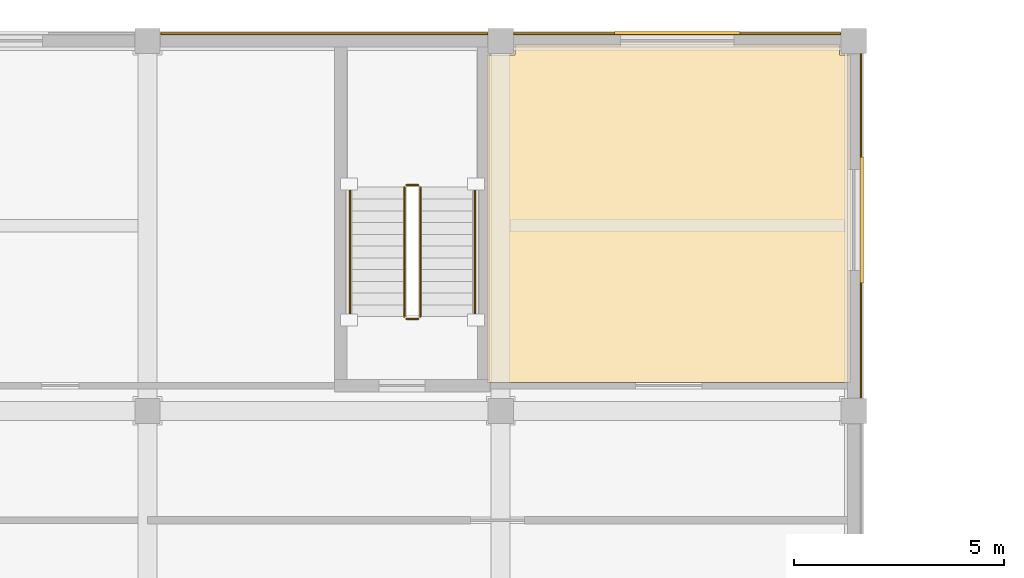
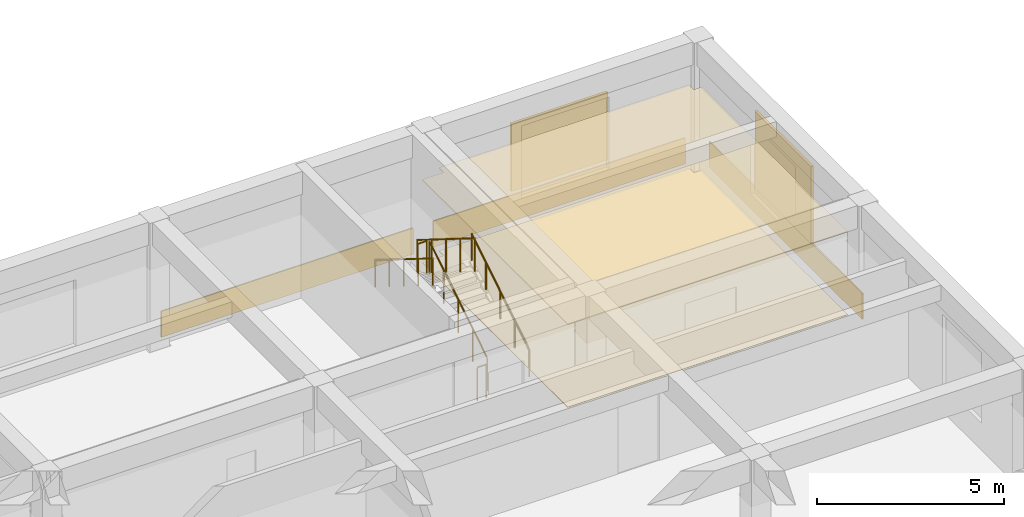
# One storey, part 43 of 46: 6 railings, 5 coverings, 2 shading devices.
"""IFC4 building model written with IfcOpenShell, lengths in metres."""

import ifcopenshell
import ifcopenshell.guid

model = None  # the IFC model being written
_history = None  # IfcOwnerHistory: only IFC2X3 demands one
_inside = {}  # id of a spatial element -> (the spatial element, [elements in it])
_under = {}  # id of a project, library or spatial element -> (it, [spatial elements below it])
_declared = {}  # id of a project -> (the project, [libraries it declares])
_typed = {}  # id of a type object -> (the type object, [elements of that type])
_made_of = {}  # id of a material, layer set ... -> (it, [elements and type objects made of it])


def new_model(schema):
    """Start an empty IFC model of exactly this schema.

    Asked for "IFC4X3", IfcOpenShell would pick the latest addendum, in which some entities
    have other attributes; the version numbers below select the first issue.
    IFC2X3 requires an IfcOwnerHistory on every rooted entity: one is made here for all.
    """
    global model, _history
    if schema == "IFC4X3":
        model = ifcopenshell.file(schema_version=(4, 3, 0, 0))
    else:
        model = ifcopenshell.file(schema=schema)
    _inside.clear()
    _under.clear()
    _declared.clear()
    _typed.clear()
    _made_of.clear()
    _history = None
    if model.schema == "IFC2X3":
        org = make("IfcOrganization", Name="unknown")
        user = make(
            "IfcPersonAndOrganization",
            ThePerson=make("IfcPerson", FamilyName="unknown"),
            TheOrganization=org,
        )
        app = make(
            "IfcApplication",
            ApplicationDeveloper=org,
            Version="unknown",
            ApplicationFullName="unknown",
            ApplicationIdentifier="unknown",
        )
        _history = make(
            "IfcOwnerHistory",
            OwningUser=user,
            OwningApplication=app,
            ChangeAction="ADDED",
            CreationDate=0,
        )
    return model


def make(cls, **values):
    """One entity of the class cls with the attributes given. An attribute that is None is left unset."""
    return model.create_entity(
        cls, **{name: value for name, value in values.items() if value is not None}
    )


def rooted(cls, **values):
    """An entity with a GlobalId (a new one), such as an element, a storey or a relation."""
    return make(cls, GlobalId=ifcopenshell.guid.new(), OwnerHistory=_history, **values)


def si_unit(unit_type, name, prefix=None):
    """IfcSIUnit, for example si_unit("LENGTHUNIT", "METRE", prefix="MILLI")."""
    return make("IfcSIUnit", UnitType=unit_type, Prefix=prefix, Name=name)


def assignment(units):
    """IfcUnitAssignment: the units of a project."""
    return None if units is None else make("IfcUnitAssignment", Units=units)


def point(xyz):
    """IfcCartesianPoint."""
    return None if xyz is None else make("IfcCartesianPoint", Coordinates=xyz)


def direction(xyz):
    """IfcDirection."""
    return None if xyz is None else make("IfcDirection", DirectionRatios=xyz)


def frame(location, z_axis=None, x_axis=None):
    """IfcAxis2Placement3D, a coordinate frame: its origin and axes. An axis left out is left unset."""
    return make(
        "IfcAxis2Placement3D",
        Location=point(location),
        Axis=direction(z_axis),
        RefDirection=direction(x_axis),
    )


def frame_2d(location, x_axis=None):
    """IfcAxis2Placement2D, a coordinate frame in the plane: its origin and x axis."""
    return make(
        "IfcAxis2Placement2D", Location=point(location), RefDirection=direction(x_axis)
    )


def origin():
    """The frame at (0, 0, 0) with its axes left unset."""
    return frame((0.0, 0.0, 0.0))


def origin_2d():
    """The frame at (0, 0) in the plane with its x axis left unset."""
    return frame_2d((0.0, 0.0))


def place(relative_to, where):
    """IfcLocalPlacement: puts the frame where relative to a parent placement (None: the world)."""
    return make(
        "IfcLocalPlacement", PlacementRelTo=relative_to, RelativePlacement=where
    )


def context(
    kind, dimensions, precision=None, world=None, true_north=None, identifier=None
):
    """IfcGeometricRepresentationContext, for example the 3D "Model" context."""
    return make(
        "IfcGeometricRepresentationContext",
        ContextIdentifier=identifier,
        ContextType=kind,
        CoordinateSpaceDimension=dimensions,
        Precision=precision,
        WorldCoordinateSystem=world,
        TrueNorth=true_north,
    )


def subcontext(parent, identifier, kind, view, scale=None):
    """IfcGeometricRepresentationSubContext, for example "Body" below "Model"."""
    return make(
        "IfcGeometricRepresentationSubContext",
        ContextIdentifier=identifier,
        ContextType=kind,
        ParentContext=parent,
        TargetScale=scale,
        TargetView=view,
    )


def project(units=None, contexts=None):
    """IfcProject with its units and contexts."""
    return rooted(
        "IfcProject",
        Name="project",
        RepresentationContexts=contexts,
        UnitsInContext=assignment(units),
    )


def spatial(cls, under=None, at=None, **own):
    """A site, building, storey or space (cls), placed at a placement, below another one or the project."""
    s = rooted(cls, ObjectPlacement=at, **own)
    if under is not None:
        _under.setdefault(under.id(), (under, []))[1].append(s)
    return s


def polyline(points):
    """IfcPolyline through the points."""
    return make("IfcPolyline", Points=[point(p) for p in points])


def profile(cls, at=None, kind="AREA", **sizes):
    """A parametric profile (cls). Its sizes go by their IFC names, for example OverallWidth=200.0."""
    return make(cls, ProfileType=kind, Position=at, **sizes)


def rectangle(**sizes):
    """IfcRectangleProfileDef."""
    return profile("IfcRectangleProfileDef", **sizes)


def circle(**sizes):
    """IfcCircleProfileDef."""
    return profile("IfcCircleProfileDef", **sizes)


def outline(outer, holes=None, kind="AREA"):
    """IfcArbitraryClosedProfileDef: a profile drawn as a closed curve; with holes, ...WithVoids."""
    if holes is None:
        return make("IfcArbitraryClosedProfileDef", ProfileType=kind, OuterCurve=outer)
    return make(
        "IfcArbitraryProfileDefWithVoids",
        ProfileType=kind,
        OuterCurve=outer,
        InnerCurves=holes,
    )


def extrude(swept, where, along, depth):
    """IfcExtrudedAreaSolid: the profile swept, set in the frame where, extruded along a direction by depth."""
    return make(
        "IfcExtrudedAreaSolid",
        SweptArea=swept,
        Position=where,
        ExtrudedDirection=direction(along),
        Depth=depth,
    )


def shape(context_of_items, identifier, shape_type, items):
    """IfcShapeRepresentation: the items that make up one representation, for example the "Body"."""
    return make(
        "IfcShapeRepresentation",
        ContextOfItems=context_of_items,
        RepresentationIdentifier=identifier,
        RepresentationType=shape_type,
        Items=items,
    )


def material(Name=None, Category=None):
    """IfcMaterial."""
    return make("IfcMaterial", Name=Name, Category=Category)


def layer(
    of_material, thickness, ventilated=None, Name=None, Category=None, Priority=None
):
    """IfcMaterialLayer: one layer of a wall or slab, of a material (None: an air gap)."""
    return make(
        "IfcMaterialLayer",
        Material=of_material,
        LayerThickness=thickness,
        IsVentilated=ventilated,
        Name=Name,
        Category=Category,
        Priority=Priority,
    )


def layer_set(layers, Name=None):
    """IfcMaterialLayerSet."""
    return make("IfcMaterialLayerSet", MaterialLayers=layers, LayerSetName=Name)


def made_of(thing, what):
    """Note that an element or type object is made of a material, layer set ...; save() writes the relation."""
    if what is not None:
        _made_of.setdefault(what.id(), (what, []))[1].append(thing)
    return thing


def type_object(cls, material=None, **own):
    """A type object (cls), such as IfcWallType, which elements share."""
    return made_of(rooted(cls, **own), material)


def element(
    cls,
    number,
    at=None,
    inside=None,
    cuts=None,
    type_object=None,
    material=None,
    context=None,
    identifier="Body",
    shape_type=None,
    held_by="IfcProductDefinitionShape",
    body=None,
    shapes=None,
    **own,
):
    """One element of the class cls, such as IfcWall. Its Tag is "e" and its number.

    at: its placement. inside: the storey or other place that contains it. cuts: it is an
    opening in that element (IfcRelVoidsElement). A single representation is given by context,
    identifier, shape_type and body (its items); several are given by shapes. held_by: the class
    of the entity that holds the representations. save() writes the other relations.
    """
    e = rooted(cls, Tag="e%d" % number, ObjectPlacement=at, **own)
    if body is not None:
        shapes = [shape(context, identifier, shape_type, body)]
    if shapes is not None:
        e.Representation = make(held_by, Representations=shapes)
    if inside is not None:
        _inside.setdefault(inside.id(), (inside, []))[1].append(e)
    if cuts is not None:
        rooted(
            "IfcRelVoidsElement", RelatingBuildingElement=cuts, RelatedOpeningElement=e
        )
    if type_object is not None:
        _typed.setdefault(type_object.id(), (type_object, []))[1].append(e)
    return made_of(e, material)


def aggregate(whole, parts):
    """IfcRelAggregates: a whole, such as a stair, and the parts it consists of."""
    return rooted("IfcRelAggregates", RelatingObject=whole, RelatedObjects=parts)


def save(model, path):
    """Write the relations noted so far, then the file.

    IfcRelAggregates (storeys below a building ...), IfcRelContainedInSpatialStructure (elements
    in a storey), IfcRelDefinesByType, IfcRelAssociatesMaterial and IfcRelDeclares: one each for
    every whole, place, type object, material and project.
    """
    for whole, parts in _under.values():
        aggregate(whole, parts)
    for where, things in _inside.values():
        rooted(
            "IfcRelContainedInSpatialStructure",
            RelatedElements=things,
            RelatingStructure=where,
        )
    for kind, things in _typed.values():
        rooted("IfcRelDefinesByType", RelatedObjects=things, RelatingType=kind)
    for what, things in _made_of.values():
        rooted("IfcRelAssociatesMaterial", RelatedObjects=things, RelatingMaterial=what)
    for by, libraries in _declared.values():
        rooted("IfcRelDeclares", RelatingContext=by, RelatedDefinitions=libraries)
    model.write(path)


model = new_model("IFC4")

# Units and contexts
model_context = context("Model", 3, precision=1e-05, world=origin(), true_north=direction((0.0, 1.0)))
body_context = subcontext(model_context, "Body", "Model", "MODEL_VIEW")
ifc_project = project(units=[si_unit("LENGTHUNIT", "METRE"), si_unit("AREAUNIT", "SQUARE_METRE"), si_unit("VOLUMEUNIT", "CUBIC_METRE"), si_unit("PLANEANGLEUNIT", "RADIAN"), si_unit("MASSUNIT", "GRAM", prefix="KILO")], contexts=[model_context])

# Site, building, storey
site_placement = place(None, origin())
site = spatial("IfcSite", under=ifc_project, at=site_placement, CompositionType="ELEMENT")
building_placement = place(site_placement, origin())
building = spatial("IfcBuilding", under=site, at=building_placement, Name="Kemercrest Conservatory and Botanical Centre", CompositionType="ELEMENT")
storey_placement = place(building_placement, frame((0.0, 0.0, 9.0)))
storey = spatial("IfcBuildingStorey", under=building, at=storey_placement, Name="L02", CompositionType="ELEMENT", Elevation=9.0)

# Coverings
ifc_material_1 = material(Name="Honed limestone almasik ashlar rainscreen", Category="masonry")
ifc_layer_1 = layer(ifc_material_1, 0.0400390625)
ifc_layer_set_1 = layer_set([ifc_layer_1], Name="Honed limestone almasik ashlar rainscreen")
covering_type_1 = type_object("IfcCoveringType", Name="CV-CLD040", PredefinedType="CLADDING", material=ifc_layer_set_1)
covering_1_placement = place(storey_placement, origin())
element("IfcCovering", 1, at=covering_1_placement, inside=storey, type_object=covering_type_1, Name="Exterior stone spandrel cladding (WAL:L02:EXT-124)", PredefinedType="CLADDING", context=body_context, shape_type="SweptSolid", body=[
    extrude(outline(polyline([(92.14990234375, 113.909912109375), (92.18994140625, 113.909912109375), (92.18994140625, 122.090087890625), (92.14990234375, 122.090087890625), (92.14990234375, 113.909912109375)])), origin(), (0.0, 0.0, 1.0), 0.85009765625),
])
covering_2_placement = place(storey_placement, origin())
element("IfcCovering", 2, at=covering_2_placement, inside=storey, type_object=covering_type_1, Name="Exterior stone spandrel cladding (WAL:L02:EXT-125)", PredefinedType="CLADDING", context=body_context, shape_type="SweptSolid", body=[
    extrude(outline(polyline([(91.68994140625, 122.550048828125), (91.68994140625, 122.590087890625), (83.909912109375, 122.590087890625), (83.909912109375, 122.550048828125), (91.68994140625, 122.550048828125)])), origin(), (0.0, 0.0, 1.0), 0.85009765625),
])
covering_3_placement = place(storey_placement, origin())
element("IfcCovering", 3, at=covering_3_placement, inside=storey, type_object=covering_type_1, Name="Exterior stone spandrel cladding (WAL:L02:EXT-126)", PredefinedType="CLADDING", context=body_context, shape_type="SweptSolid", body=[
    extrude(outline(polyline([(83.2900390625, 122.550048828125), (83.2900390625, 122.590087890625), (75.510009765625, 122.590087890625), (75.510009765625, 122.550048828125), (83.2900390625, 122.550048828125)])), origin(), (0.0, 0.0, 1.0), 0.85009765625),
])
ifc_material_2 = material(Name="Perforated acoustic gypsum and mineral-fibre suspended ceiling", Category="gypsum")
ifc_layer_2 = layer(ifc_material_2, 0.034912109375)
ifc_layer_set_2 = layer_set([ifc_layer_2], Name="Perforated acoustic gypsum and mineral-fibre suspended ceiling")
covering_type_2 = type_object("IfcCoveringType", Name="CV-CLG035", PredefinedType="CEILING", material=ifc_layer_set_2)
covering_4_placement = place(storey_placement, frame((0.0, 0.0, 2.699951171875)))
element("IfcCovering", 4, at=covering_4_placement, inside=storey, type_object=covering_type_2, Name="Gallery Curator Office suspended acoustic ceiling", PredefinedType="CEILING", context=body_context, shape_type="SweptSolid", body=[
    extrude(outline(polyline([(83.280029296875, 114.280029296875), (91.919921875, 114.280029296875), (91.919921875, 122.06005859375), (91.659912109375, 122.06005859375), (91.659912109375, 122.320068359375), (83.93994140625, 122.320068359375), (83.93994140625, 122.06005859375), (83.280029296875, 122.06005859375), (83.280029296875, 114.280029296875)])), origin(), (0.0, 0.0, 1.0), 0.03515625),
])
ifc_material_3 = material(Name="Polished limestone terrazzo and seamless laboratory epoxy flooring", Category="masonry")
ifc_layer_3 = layer(ifc_material_3, 0.02001953125)
ifc_layer_set_3 = layer_set([ifc_layer_3], Name="Polished limestone terrazzo and seamless laboratory epoxy flooring")
covering_type_3 = type_object("IfcCoveringType", Name="CV-FLR020", PredefinedType="FLOORING", material=ifc_layer_set_3)
covering_5_placement = place(storey_placement, origin())
element("IfcCovering", 5, at=covering_5_placement, inside=storey, type_object=covering_type_3, Name="Gallery Curator Office floor finish", PredefinedType="FLOORING", context=body_context, shape_type="SweptSolid", body=[
    extrude(outline(polyline([(83.280029296875, 114.280029296875), (91.919921875, 114.280029296875), (91.919921875, 122.06005859375), (91.659912109375, 122.06005859375), (91.659912109375, 122.320068359375), (83.93994140625, 122.320068359375), (83.93994140625, 122.06005859375), (83.280029296875, 122.06005859375), (83.280029296875, 114.280029296875)])), origin(), (0.0, 0.0, 1.0), 0.02001953125),
])

# Railings
ifc_material_4 = material(Name="Painted galvanized steel tubular stair guardrail", Category="steel")
railing_type_1 = type_object("IfcRailingType", Name="GR-STR110", PredefinedType="GUARDRAIL", material=ifc_material_4)
railing_1_placement = place(storey_placement, frame((81.68994140625, 115.840087890625, 0.175048828125)))
element("IfcRailing", 6, at=railing_1_placement, inside=storey, type_object=railing_type_1, Name="L02 ST-V3B stair guard 1", PredefinedType="GUARDRAIL", context=body_context, shape_type="SweptSolid", body=[
    extrude(circle(Radius=0.02392578125, at=origin_2d()), frame((0.0, 0.0, 1.076171875), z_axis=(0.0, 0.847979421464, 0.530029150871), x_axis=(-1.0, 0.0, 0.0)), (0.0, 0.0, 1.0), 3.632080078125),
    extrude(circle(Radius=0.02099609375, at=origin_2d()), origin(), (0.0, 0.0, 1.0), 1.052001953125),
    extrude(circle(Radius=0.02099609375, at=origin_2d()), frame((0.0, 0.77001953125, 0.481201171875)), (0.0, 0.0, 1.0), 1.052001953125),
    extrude(circle(Radius=0.02099609375, at=origin_2d()), frame((0.0, 1.5400390625, 0.96240234375)), (0.0, 0.0, 1.0), 1.052001953125),
    extrude(circle(Radius=0.02099609375, at=origin_2d()), frame((0.0, 2.309814453125, 1.44384765625)), (0.0, 0.0, 1.0), 1.052001953125),
    extrude(circle(Radius=0.02099609375, at=origin_2d()), frame((0.0, 3.079833984375, 1.925048828125)), (0.0, 0.0, 1.0), 1.052001953125),
])
railing_2_placement = place(storey_placement, frame((81.639892578125, 118.969970703125, 2.10009765625)))
element("IfcRailing", 7, at=railing_2_placement, inside=storey, type_object=railing_type_1, Name="L02 ST-V3B stair guard 2", PredefinedType="GUARDRAIL", context=body_context, shape_type="SweptSolid", body=[
    extrude(circle(Radius=0.02392578125, at=origin_2d()), frame((0.0, 0.0, 1.076171875), z_axis=(-1.0, 0.0, 0.0), x_axis=(0.0, -1.0, 0.0)), (0.0, 0.0, 1.0), 0.27978515625),
    extrude(circle(Radius=0.02099609375, at=origin_2d()), origin(), (0.0, 0.0, 1.0), 1.052001953125),
    extrude(circle(Radius=0.02099609375, at=origin_2d()), frame((-0.27978515625, 0.0, 0.0)), (0.0, 0.0, 1.0), 1.052001953125),
])
railing_3_placement = place(storey_placement, frame((81.31005859375, 118.919921875, 2.27490234375)))
element("IfcRailing", 8, at=railing_3_placement, inside=storey, type_object=railing_type_1, Name="L02 ST-V3B stair guard 3", PredefinedType="GUARDRAIL", context=body_context, shape_type="SweptSolid", body=[
    extrude(circle(Radius=0.02392578125, at=origin_2d()), frame((0.0, 0.0, 1.076171875), z_axis=(0.0, -0.847979421464, 0.530029150871), x_axis=(1.0, 0.0, 0.0)), (0.0, 0.0, 1.0), 3.632080078125),
    extrude(circle(Radius=0.02099609375, at=origin_2d()), origin(), (0.0, 0.0, 1.0), 1.052001953125),
    extrude(circle(Radius=0.02099609375, at=origin_2d()), frame((0.0, -0.77001953125, 0.481201171875)), (0.0, 0.0, 1.0), 1.052001953125),
    extrude(circle(Radius=0.02099609375, at=origin_2d()), frame((0.0, -1.5400390625, 0.96240234375)), (0.0, 0.0, 1.0), 1.052001953125),
    extrude(circle(Radius=0.02099609375, at=origin_2d()), frame((0.0, -2.309814453125, 1.44384765625)), (0.0, 0.0, 1.0), 1.052001953125),
    extrude(circle(Radius=0.02099609375, at=origin_2d()), frame((0.0, -3.079833984375, 1.925048828125)), (0.0, 0.0, 1.0), 1.052001953125),
])
railing_4_placement = place(storey_placement, frame((81.639892578125, 115.7900390625, 0.0)))
element("IfcRailing", 9, at=railing_4_placement, inside=storey, type_object=railing_type_1, Name="L02 ST-V3B stair guard 4", PredefinedType="GUARDRAIL", context=body_context, shape_type="SweptSolid", body=[
    extrude(circle(Radius=0.02392578125, at=origin_2d()), frame((0.0, 0.0, 1.076171875), z_axis=(-1.0, 0.0, 0.0), x_axis=(0.0, -1.0, 0.0)), (0.0, 0.0, 1.0), 0.27978515625),
    extrude(circle(Radius=0.02099609375, at=origin_2d()), origin(), (0.0, 0.0, 1.0), 1.052001953125),
    extrude(circle(Radius=0.02099609375, at=origin_2d()), frame((-0.27978515625, 0.0, 0.0)), (0.0, 0.0, 1.0), 1.052001953125),
])
ifc_material_5 = material(Name="Brushed stainless steel wall-mounted handrail", Category="steel")
railing_type_2 = type_object("IfcRailingType", Name="HR-STR090", PredefinedType="HANDRAIL", material=ifc_material_5)
railing_5_placement = place(storey_placement, frame((82.989990234375, 115.840087890625, 0.175048828125)))
element("IfcRailing", 10, at=railing_5_placement, inside=storey, type_object=railing_type_2, Name="L02 ST-V3B stair handrail 1", PredefinedType="HANDRAIL", context=body_context, shape_type="SweptSolid", body=[
    extrude(circle(Radius=0.02392578125, at=origin_2d()), frame((0.0, 0.0, 0.8759765625), z_axis=(0.0, 0.847979421464, 0.530029150871), x_axis=(-1.0, 0.0, 0.0)), (0.0, 0.0, 1.0), 3.632080078125),
    extrude(circle(Radius=0.02099609375, at=origin_2d()), origin(), (0.0, 0.0, 1.0), 0.851806640625),
    extrude(circle(Radius=0.02099609375, at=origin_2d()), frame((0.0, 0.77001953125, 0.481201171875)), (0.0, 0.0, 1.0), 0.851806640625),
    extrude(circle(Radius=0.02099609375, at=origin_2d()), frame((0.0, 1.5400390625, 0.96240234375)), (0.0, 0.0, 1.0), 0.851806640625),
    extrude(circle(Radius=0.02099609375, at=origin_2d()), frame((0.0, 2.309814453125, 1.44384765625)), (0.0, 0.0, 1.0), 0.851806640625),
    extrude(circle(Radius=0.02099609375, at=origin_2d()), frame((0.0, 3.079833984375, 1.925048828125)), (0.0, 0.0, 1.0), 0.851806640625),
])
railing_6_placement = place(storey_placement, frame((80.010009765625, 118.919921875, 2.27490234375)))
element("IfcRailing", 11, at=railing_6_placement, inside=storey, type_object=railing_type_2, Name="L02 ST-V3B stair handrail 2", PredefinedType="HANDRAIL", context=body_context, shape_type="SweptSolid", body=[
    extrude(circle(Radius=0.02392578125, at=origin_2d()), frame((0.0, 0.0, 0.8759765625), z_axis=(0.0, -0.847979421464, 0.530029150871), x_axis=(1.0, 0.0, 0.0)), (0.0, 0.0, 1.0), 3.632080078125),
    extrude(circle(Radius=0.02099609375, at=origin_2d()), origin(), (0.0, 0.0, 1.0), 0.851806640625),
    extrude(circle(Radius=0.02099609375, at=origin_2d()), frame((0.0, -0.77001953125, 0.481201171875)), (0.0, 0.0, 1.0), 0.851806640625),
    extrude(circle(Radius=0.02099609375, at=origin_2d()), frame((0.0, -1.5400390625, 0.96240234375)), (0.0, 0.0, 1.0), 0.851806640625),
    extrude(circle(Radius=0.02099609375, at=origin_2d()), frame((0.0, -2.309814453125, 1.44384765625)), (0.0, 0.0, 1.0), 0.851806640625),
    extrude(circle(Radius=0.02099609375, at=origin_2d()), frame((0.0, -3.079833984375, 1.925048828125)), (0.0, 0.0, 1.0), 0.851806640625),
])

# Shading devices
ifc_material_6 = material(Name="Perforated bronze-anodized aluminium", Category="aluminium")
shading_device_type_1 = type_object("IfcShadingDeviceType", Name="SH-MS01", PredefinedType="USERDEFINED", material=ifc_material_6)
shading_device_1_placement = place(storey_placement, frame((87.800048828125, 122.587890625, 0.97509765625), z_axis=(0.0, 0.0, 1.0), x_axis=(-1.0, 0.0, 0.0)))
element("IfcShadingDevice", 12, at=shading_device_1_placement, inside=storey, type_object=shading_device_type_1, Name="Ottoman mashrabiya perforated screen SH-MS01 (WIN:L02:EXT-125)", ObjectType="MASHRABIYA SCREEN", PredefinedType="USERDEFINED", context=body_context, shape_type="SweptSolid", body=[
    extrude(rectangle(XDim=2.97998046875, YDim=0.080078125, at=origin_2d()), origin(), (0.0, 0.0, 1.0), 2.199951171875),
])
shading_device_type_2 = type_object("IfcShadingDeviceType", Name="SH-MS05", PredefinedType="USERDEFINED", material=ifc_material_6)
shading_device_2_placement = place(storey_placement, frame((92.18798828125, 118.14501953125, 0.81982421875), z_axis=(0.0, 0.0, 1.0), x_axis=(0.0, 1.0, 0.0)))
element("IfcShadingDevice", 13, at=shading_device_2_placement, inside=storey, type_object=shading_device_type_2, Name="Ottoman mashrabiya perforated screen SH-MS05 (WIN:L02:EXT-124)", ObjectType="MASHRABIYA SCREEN", PredefinedType="USERDEFINED", context=body_context, shape_type="SweptSolid", body=[
    extrude(rectangle(XDim=3.0, YDim=0.080078125, at=origin_2d()), origin(), (0.0, 0.0, 1.0), 2.510009765625),
])

save(model, "model.ifc")
